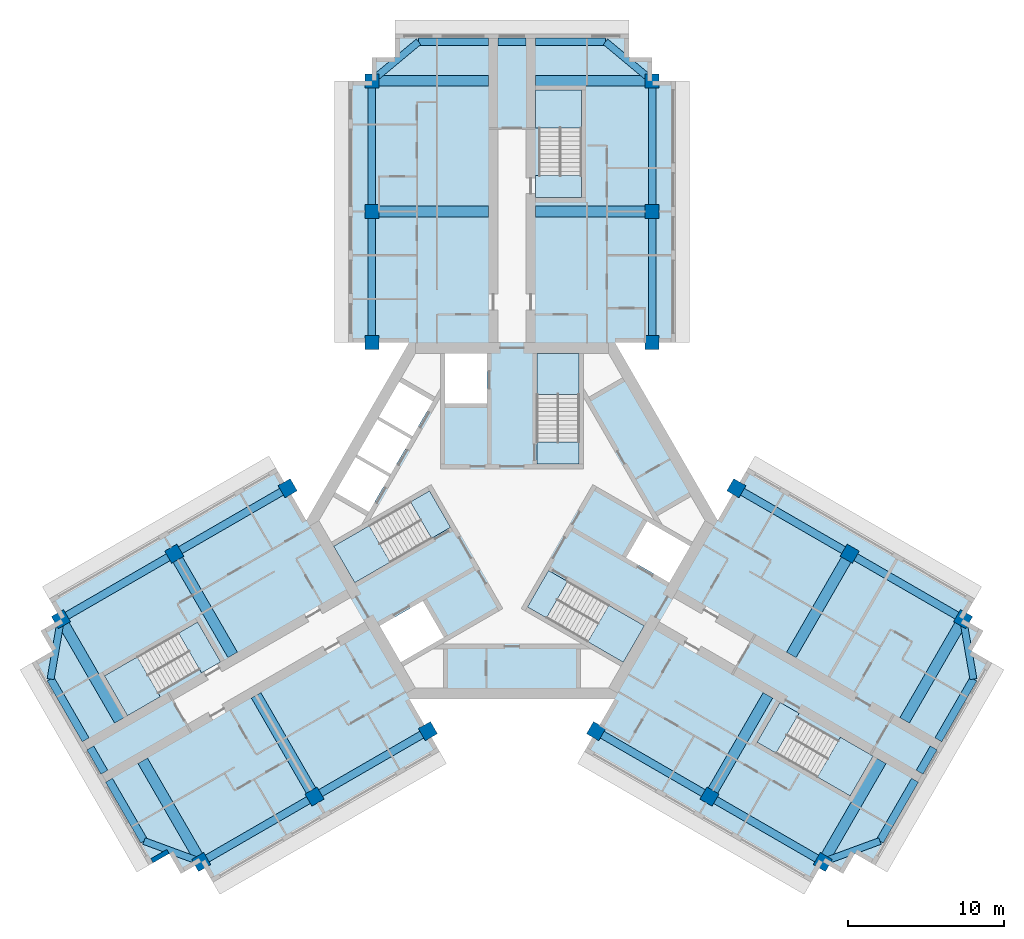
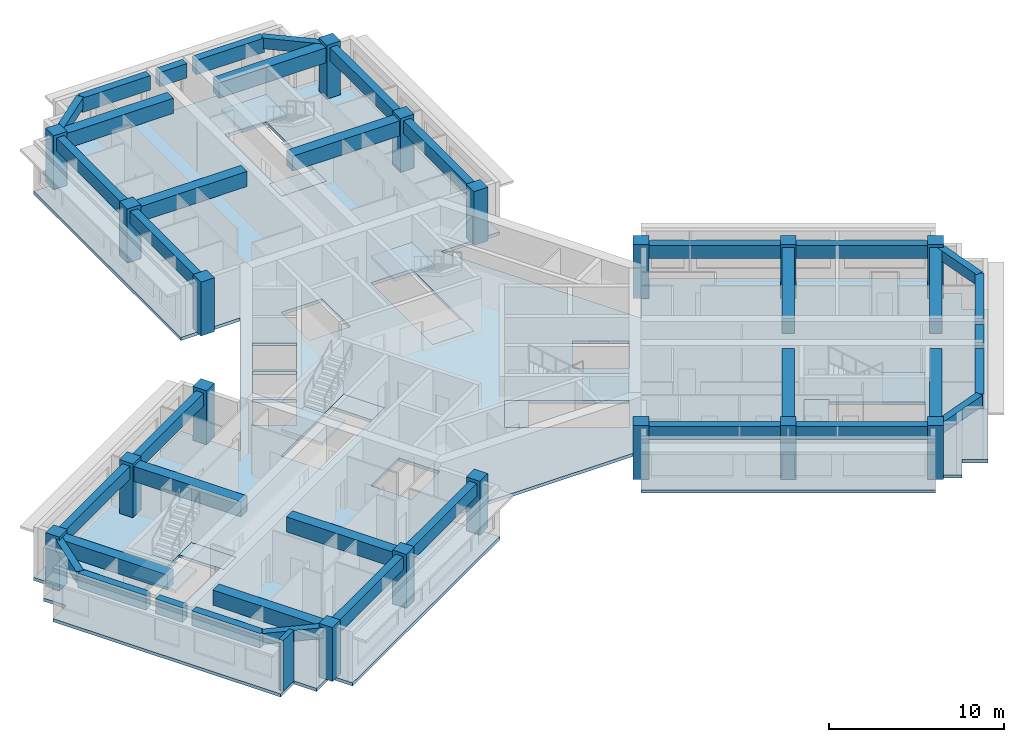
# One storey, part 1 of 10: 39 beams, 18 columns, 13 slabs, 1 wall, 6 elements without a shape of their own.
"""IFC4 building model written with IfcOpenShell, lengths in metres."""

import ifcopenshell
import ifcopenshell.guid

model = None  # the IFC model being written
_history = None  # IfcOwnerHistory: only IFC2X3 demands one
_inside = {}  # id of a spatial element -> (the spatial element, [elements in it])
_under = {}  # id of a project, library or spatial element -> (it, [spatial elements below it])
_declared = {}  # id of a project -> (the project, [libraries it declares])
_typed = {}  # id of a type object -> (the type object, [elements of that type])
_made_of = {}  # id of a material, layer set ... -> (it, [elements and type objects made of it])


def new_model(schema):
    """Start an empty IFC model of exactly this schema.

    Asked for "IFC4X3", IfcOpenShell would pick the latest addendum, in which some entities
    have other attributes; the version numbers below select the first issue.
    IFC2X3 requires an IfcOwnerHistory on every rooted entity: one is made here for all.
    """
    global model, _history
    if schema == "IFC4X3":
        model = ifcopenshell.file(schema_version=(4, 3, 0, 0))
    else:
        model = ifcopenshell.file(schema=schema)
    _inside.clear()
    _under.clear()
    _declared.clear()
    _typed.clear()
    _made_of.clear()
    _history = None
    if model.schema == "IFC2X3":
        org = make("IfcOrganization", Name="unknown")
        user = make(
            "IfcPersonAndOrganization",
            ThePerson=make("IfcPerson", FamilyName="unknown"),
            TheOrganization=org,
        )
        app = make(
            "IfcApplication",
            ApplicationDeveloper=org,
            Version="unknown",
            ApplicationFullName="unknown",
            ApplicationIdentifier="unknown",
        )
        _history = make(
            "IfcOwnerHistory",
            OwningUser=user,
            OwningApplication=app,
            ChangeAction="ADDED",
            CreationDate=0,
        )
    return model


def make(cls, **values):
    """One entity of the class cls with the attributes given. An attribute that is None is left unset."""
    return model.create_entity(
        cls, **{name: value for name, value in values.items() if value is not None}
    )


def rooted(cls, **values):
    """An entity with a GlobalId (a new one), such as an element, a storey or a relation."""
    return make(cls, GlobalId=ifcopenshell.guid.new(), OwnerHistory=_history, **values)


def si_unit(unit_type, name, prefix=None):
    """IfcSIUnit, for example si_unit("LENGTHUNIT", "METRE", prefix="MILLI")."""
    return make("IfcSIUnit", UnitType=unit_type, Prefix=prefix, Name=name)


def assignment(units):
    """IfcUnitAssignment: the units of a project."""
    return None if units is None else make("IfcUnitAssignment", Units=units)


def point(xyz):
    """IfcCartesianPoint."""
    return None if xyz is None else make("IfcCartesianPoint", Coordinates=xyz)


def direction(xyz):
    """IfcDirection."""
    return None if xyz is None else make("IfcDirection", DirectionRatios=xyz)


def frame(location, z_axis=None, x_axis=None):
    """IfcAxis2Placement3D, a coordinate frame: its origin and axes. An axis left out is left unset."""
    return make(
        "IfcAxis2Placement3D",
        Location=point(location),
        Axis=direction(z_axis),
        RefDirection=direction(x_axis),
    )


def frame_2d(location, x_axis=None):
    """IfcAxis2Placement2D, a coordinate frame in the plane: its origin and x axis."""
    return make(
        "IfcAxis2Placement2D", Location=point(location), RefDirection=direction(x_axis)
    )


def origin():
    """The frame at (0, 0, 0) with its axes left unset."""
    return frame((0.0, 0.0, 0.0))


def origin_2d():
    """The frame at (0, 0) in the plane with its x axis left unset."""
    return frame_2d((0.0, 0.0))


def place(relative_to, where):
    """IfcLocalPlacement: puts the frame where relative to a parent placement (None: the world)."""
    return make(
        "IfcLocalPlacement", PlacementRelTo=relative_to, RelativePlacement=where
    )


def context(
    kind, dimensions, precision=None, world=None, true_north=None, identifier=None
):
    """IfcGeometricRepresentationContext, for example the 3D "Model" context."""
    return make(
        "IfcGeometricRepresentationContext",
        ContextIdentifier=identifier,
        ContextType=kind,
        CoordinateSpaceDimension=dimensions,
        Precision=precision,
        WorldCoordinateSystem=world,
        TrueNorth=true_north,
    )


def subcontext(parent, identifier, kind, view, scale=None):
    """IfcGeometricRepresentationSubContext, for example "Body" below "Model"."""
    return make(
        "IfcGeometricRepresentationSubContext",
        ContextIdentifier=identifier,
        ContextType=kind,
        ParentContext=parent,
        TargetScale=scale,
        TargetView=view,
    )


def project(units=None, contexts=None):
    """IfcProject with its units and contexts."""
    return rooted(
        "IfcProject",
        Name="project",
        RepresentationContexts=contexts,
        UnitsInContext=assignment(units),
    )


def spatial(cls, under=None, at=None, **own):
    """A site, building, storey or space (cls), placed at a placement, below another one or the project."""
    s = rooted(cls, ObjectPlacement=at, **own)
    if under is not None:
        _under.setdefault(under.id(), (under, []))[1].append(s)
    return s


def polyline(points):
    """IfcPolyline through the points."""
    return make("IfcPolyline", Points=[point(p) for p in points])


def profile(cls, at=None, kind="AREA", **sizes):
    """A parametric profile (cls). Its sizes go by their IFC names, for example OverallWidth=200.0."""
    return make(cls, ProfileType=kind, Position=at, **sizes)


def rectangle(**sizes):
    """IfcRectangleProfileDef."""
    return profile("IfcRectangleProfileDef", **sizes)


def outline(outer, holes=None, kind="AREA"):
    """IfcArbitraryClosedProfileDef: a profile drawn as a closed curve; with holes, ...WithVoids."""
    if holes is None:
        return make("IfcArbitraryClosedProfileDef", ProfileType=kind, OuterCurve=outer)
    return make(
        "IfcArbitraryProfileDefWithVoids",
        ProfileType=kind,
        OuterCurve=outer,
        InnerCurves=holes,
    )


def extrude(swept, where, along, depth):
    """IfcExtrudedAreaSolid: the profile swept, set in the frame where, extruded along a direction by depth."""
    return make(
        "IfcExtrudedAreaSolid",
        SweptArea=swept,
        Position=where,
        ExtrudedDirection=direction(along),
        Depth=depth,
    )


def shape(context_of_items, identifier, shape_type, items):
    """IfcShapeRepresentation: the items that make up one representation, for example the "Body"."""
    return make(
        "IfcShapeRepresentation",
        ContextOfItems=context_of_items,
        RepresentationIdentifier=identifier,
        RepresentationType=shape_type,
        Items=items,
    )


def material(Name=None, Category=None):
    """IfcMaterial."""
    return make("IfcMaterial", Name=Name, Category=Category)


def layer(
    of_material, thickness, ventilated=None, Name=None, Category=None, Priority=None
):
    """IfcMaterialLayer: one layer of a wall or slab, of a material (None: an air gap)."""
    return make(
        "IfcMaterialLayer",
        Material=of_material,
        LayerThickness=thickness,
        IsVentilated=ventilated,
        Name=Name,
        Category=Category,
        Priority=Priority,
    )


def layer_set(layers, Name=None):
    """IfcMaterialLayerSet."""
    return make("IfcMaterialLayerSet", MaterialLayers=layers, LayerSetName=Name)


def material_profile(
    of_material, cross_section, Name=None, Category=None, Priority=None
):
    """IfcMaterialProfile: a cross section and its material."""
    return make(
        "IfcMaterialProfile",
        Name=Name,
        Material=of_material,
        Profile=cross_section,
        Priority=Priority,
        Category=Category,
    )


def profile_set(profiles, Name=None, composite=None):
    """IfcMaterialProfileSet."""
    return make(
        "IfcMaterialProfileSet",
        Name=Name,
        MaterialProfiles=profiles,
        CompositeProfile=composite,
    )


def made_of(thing, what):
    """Note that an element or type object is made of a material, layer set ...; save() writes the relation."""
    if what is not None:
        _made_of.setdefault(what.id(), (what, []))[1].append(thing)
    return thing


def type_object(cls, material=None, **own):
    """A type object (cls), such as IfcWallType, which elements share."""
    return made_of(rooted(cls, **own), material)


def element(
    cls,
    number,
    at=None,
    inside=None,
    cuts=None,
    type_object=None,
    material=None,
    context=None,
    identifier="Body",
    shape_type=None,
    held_by="IfcProductDefinitionShape",
    body=None,
    shapes=None,
    **own,
):
    """One element of the class cls, such as IfcWall. Its Tag is "e" and its number.

    at: its placement. inside: the storey or other place that contains it. cuts: it is an
    opening in that element (IfcRelVoidsElement). A single representation is given by context,
    identifier, shape_type and body (its items); several are given by shapes. held_by: the class
    of the entity that holds the representations. save() writes the other relations.
    """
    e = rooted(cls, Tag="e%d" % number, ObjectPlacement=at, **own)
    if body is not None:
        shapes = [shape(context, identifier, shape_type, body)]
    if shapes is not None:
        e.Representation = make(held_by, Representations=shapes)
    if inside is not None:
        _inside.setdefault(inside.id(), (inside, []))[1].append(e)
    if cuts is not None:
        rooted(
            "IfcRelVoidsElement", RelatingBuildingElement=cuts, RelatedOpeningElement=e
        )
    if type_object is not None:
        _typed.setdefault(type_object.id(), (type_object, []))[1].append(e)
    return made_of(e, material)


def aggregate(whole, parts):
    """IfcRelAggregates: a whole, such as a stair, and the parts it consists of."""
    return rooted("IfcRelAggregates", RelatingObject=whole, RelatedObjects=parts)


def save(model, path):
    """Write the relations noted so far, then the file.

    IfcRelAggregates (storeys below a building ...), IfcRelContainedInSpatialStructure (elements
    in a storey), IfcRelDefinesByType, IfcRelAssociatesMaterial and IfcRelDeclares: one each for
    every whole, place, type object, material and project.
    """
    for whole, parts in _under.values():
        aggregate(whole, parts)
    for where, things in _inside.values():
        rooted(
            "IfcRelContainedInSpatialStructure",
            RelatedElements=things,
            RelatingStructure=where,
        )
    for kind, things in _typed.values():
        rooted("IfcRelDefinesByType", RelatedObjects=things, RelatingType=kind)
    for what, things in _made_of.values():
        rooted("IfcRelAssociatesMaterial", RelatedObjects=things, RelatingMaterial=what)
    for by, libraries in _declared.values():
        rooted("IfcRelDeclares", RelatingContext=by, RelatedDefinitions=libraries)
    model.write(path)


model = new_model("IFC4")

# Units and contexts
model_context = context("Model", 3, precision=1e-05, world=origin(), true_north=direction((0.0, 1.0)))
body_context = subcontext(model_context, "Body", "Model", "MODEL_VIEW")
ifc_project = project(units=[si_unit("LENGTHUNIT", "METRE"), si_unit("AREAUNIT", "SQUARE_METRE"), si_unit("VOLUMEUNIT", "CUBIC_METRE"), si_unit("PLANEANGLEUNIT", "RADIAN"), si_unit("MASSUNIT", "GRAM", prefix="KILO")], contexts=[model_context])

# Site, building, storey
site_placement = place(None, origin())
site = spatial("IfcSite", under=ifc_project, at=site_placement, CompositionType="ELEMENT")
building_placement = place(site_placement, origin())
building = spatial("IfcBuilding", under=site, at=building_placement, Name="Impinga Residences", CompositionType="ELEMENT")
storey_placement = place(building_placement, frame((0.0, 0.0, 256.0)))
storey = spatial("IfcBuildingStorey", under=building, at=storey_placement, Name="L64", CompositionType="ELEMENT", Elevation=256.0)

# Columns
ifc_material_1 = material(Name="Concrete C60/75", Category="concrete")
ifc_material_profile_1 = material_profile(ifc_material_1, rectangle(XDim=0.89990234375, YDim=0.89990234375, at=origin_2d()), Name="RC 900x900")
ifc_profile_set_1 = profile_set([ifc_material_profile_1], Name="Concrete C60/75")
column_type = type_object("IfcColumnType", Name="C4 900x900 column", PredefinedType="COLUMN", material=ifc_profile_set_1)
for number, where, z_axis, x_axis, name in (
    (1, (-9.0, 11.431640625, 0.0), (0.0, 0.0, 1.0), (1.0, 0.0, 0.0), "Column C4 N1/NA L64"),
    (2, (9.0, 11.431640625, 0.0), (0.0, 0.0, 1.0), (1.0, 0.0, 0.0), "Column C4 N1/NF L64"),
    (3, (-9.0, 19.83154296875, 0.0), (0.0, 0.0, 1.0), (1.0, 0.0, 0.0), "Column C4 N2/NA L64"),
    (4, (9.0, 19.83154296875, 0.0), (0.0, 0.0, 1.0), (1.0, 0.0, 0.0), "Column C4 N2/NF L64"),
    (5, (-9.0, 28.2314453125, 0.0), (0.0, 0.0, 1.0), (1.0, 0.0, 0.0), "Column C4 N3/NA L64"),
    (6, (9.0, 28.2314453125, 0.0), (0.0, 0.0, 1.0), (1.0, 0.0, 0.0), "Column C4 N3/NF L64"),
    (7, (-5.39990234375, -13.510009765625, 0.0), (0.0, 0.0, 1.0), (-0.5, 0.866025403784, 0.0), "Column C4 W1/WA L64"),
    (8, (-14.39990234375, 2.078369140625, 0.0), (0.0, 0.0, 1.0), (-0.5, 0.866025403784, 0.0), "Column C4 W1/WF L64"),
    (9, (-12.674560546875, -17.7099609375, 0.0), (0.0, 0.0, 1.0), (-0.5, 0.866025403784, 0.0), "Column C4 W2/WA L64"),
    (10, (-21.674560546875, -2.12158203125, 0.0), (0.0, 0.0, 1.0), (-0.5, 0.866025403784, 0.0), "Column C4 W2/WF L64"),
    (11, (-19.94921875, -21.909912109375, 0.0), (0.0, 0.0, 1.0), (-0.5, 0.866025403784, 0.0), "Column C4 W3/WA L64"),
    (12, (-28.94921875, -6.321533203125, 0.0), (0.0, 0.0, 1.0), (-0.5, 0.866025403784, 0.0), "Column C4 W3/WF L64"),
    (13, (14.39990234375, 2.078369140625, 0.0), (0.0, 0.0, 1.0), (-0.5, -0.866025403784, 0.0), "Column C4 E1/EA L64"),
    (14, (5.39990234375, -13.510009765625, 0.0), (0.0, 0.0, 1.0), (-0.5, -0.866025403784, 0.0), "Column C4 E1/EF L64"),
    (15, (21.674560546875, -2.12158203125, 0.0), (0.0, 0.0, 1.0), (-0.5, -0.866025403784, 0.0), "Column C4 E2/EA L64"),
    (16, (12.674560546875, -17.7099609375, 0.0), (0.0, 0.0, 1.0), (-0.5, -0.866025403784, 0.0), "Column C4 E2/EF L64"),
    (17, (28.94921875, -6.321533203125, 0.0), (0.0, 0.0, 1.0), (-0.5, -0.866025403784, 0.0), "Column C4 E3/EA L64"),
    (18, (19.94921875, -21.909912109375, 0.0), (0.0, 0.0, 1.0), (-0.5, -0.866025403784, 0.0), "Column C4 E3/EF L64"),
):
    element("IfcColumn", number, at=place(storey_placement, frame(where, z_axis=z_axis, x_axis=x_axis)), inside=storey, type_object=column_type, Name=name, PredefinedType="COLUMN", context=body_context, shape_type="SweptSolid", body=[
        extrude(rectangle(XDim=0.89990234375, YDim=0.89990234375, at=origin_2d()), origin(), (0.0, 0.0, 1.0), 3.75),
    ])

# Beams
ifc_material_profile_2 = material_profile(ifc_material_1, rectangle(XDim=0.449951171875, YDim=0.75, at=origin_2d()), Name="RC 450x750")
ifc_profile_set_2 = profile_set([ifc_material_profile_2], Name="Concrete C60/75")
beam_type_1 = type_object("IfcBeamType", Name="CB1 450x750 wing end cantilever beam", PredefinedType="BEAM", material=ifc_profile_set_2)
for number, where, z_axis, x_axis, name in (
    (19, (-9.0, 28.2314453125, 3.155029296875), (0.768221279597, 0.640184399664, 0.0), (-0.640184399664, 0.768221279597, 0.0), "Beam CB1 NB N3-NX level L65"),
    (20, (9.0, 28.2314453125, 3.155029296875), (-0.768221279597, 0.640184399664, 0.0), (-0.640184399664, -0.768221279597, 0.0), "Beam CB1 NE N3-NX level L65"),
    (21, (-19.94921875, -21.909912109375, 3.155029296875), (-0.93854043338, 0.345169313396, 0.0), (-0.345169313396, -0.93854043338, 0.0), "Beam CB1 WB W3-WX level L65"),
):
    element("IfcBeam", number, at=place(storey_placement, frame(where, z_axis=z_axis, x_axis=x_axis)), inside=storey, type_object=beam_type_1, Name=name, PredefinedType="BEAM", context=body_context, shape_type="SweptSolid", body=[
        extrude(rectangle(XDim=0.449951171875, YDim=0.75, at=origin_2d()), origin(), (0.0, 0.0, 1.0), 3.905029296875),
    ])
for number, where, z_axis, x_axis, name in (
    (22, (-28.94921875, -6.321533203125, 3.155029296875), (-0.170296298948, -0.985392901621, 0.0), (0.985392901621, -0.170296298948, 0.0), "Beam CB1 WE W3-WX level L65"),
    (23, (28.94921875, -6.321533203125, 3.155029296875), (0.170296298948, -0.985392901621, 0.0), (0.985392901621, 0.170296298948, 0.0), "Beam CB1 EB E3-EX level L65"),
):
    element("IfcBeam", number, at=place(storey_placement, frame(where, z_axis=z_axis, x_axis=x_axis)), inside=storey, type_object=beam_type_1, Name=name, PredefinedType="BEAM", context=body_context, shape_type="SweptSolid", body=[
        extrude(rectangle(XDim=0.449951171875, YDim=0.75, at=origin_2d()), origin(), (0.0, 0.0, 1.0), 3.9052734375),
    ])
beam_1_placement = place(storey_placement, frame((19.94921875, -21.909912109375, 3.155029296875), z_axis=(0.93854043338, 0.345169313396, 0.0), x_axis=(-0.345169313396, 0.93854043338, 0.0)))
element("IfcBeam", 24, at=beam_1_placement, inside=storey, type_object=beam_type_1, Name="Beam CB1 EE E3-EX level L65", PredefinedType="BEAM", context=body_context, shape_type="SweptSolid", body=[
    extrude(rectangle(XDim=0.449951171875, YDim=0.75, at=origin_2d()), origin(), (0.0, 0.0, 1.0), 3.905029296875),
])
ifc_material_profile_3 = material_profile(ifc_material_1, rectangle(XDim=0.699951171875, YDim=1.050048828125, at=origin_2d()), Name="RC 700x1050")
ifc_profile_set_3 = profile_set([ifc_material_profile_3], Name="Concrete C60/75")
beam_type_2 = type_object("IfcBeamType", Name="CG1 700x1050 cross girder on a wing bay line", PredefinedType="BEAM", material=ifc_profile_set_3)
for number, where, z_axis, x_axis, name in (
    (25, (-1.5, 19.83154296875, 3.0048828125), (-1.0, 0.0, 0.0), (0.0, -1.0, 0.0), "Beam CG1 N2 NC/NA level L65"),
    (26, (-1.5, 28.2314453125, 3.0048828125), (-1.0, 0.0, 0.0), (0.0, -1.0, 0.0), "Beam CG1 N3 NC/NA level L65"),
    (27, (1.5, 19.83154296875, 3.0048828125), (1.0, 0.0, 0.0), (0.0, 1.0, 0.0), "Beam CG1 N2 NC/NF level L65"),
    (28, (1.5, 28.2314453125, 3.0048828125), (1.0, 0.0, 0.0), (0.0, 1.0, 0.0), "Beam CG1 N3 NC/NF level L65"),
    (29, (-16.424560546875, -11.21484375, 3.0048828125), (0.500004234368, -0.866022959057, 0.0), (0.866022959057, 0.500004234368, 0.0), "Beam CG1 W2 WC/WA level L65"),
    (30, (-23.69921875, -15.414794921875, 3.0048828125), (0.500004234368, -0.866022959057, 0.0), (0.866022959057, 0.500004234368, 0.0), "Beam CG1 W3 WC/WA level L65"),
    (31, (-17.924560546875, -8.61669921875, 3.0048828125), (-0.500004234368, 0.866022959057, 0.0), (-0.866022959057, -0.500004234368, 0.0), "Beam CG1 W2 WC/WF level L65"),
    (32, (-25.19921875, -12.816650390625, 3.0048828125), (-0.500004234368, 0.866022959057, 0.0), (-0.866022959057, -0.500004234368, 0.0), "Beam CG1 W3 WC/WF level L65"),
    (33, (17.924560546875, -8.61669921875, 3.0048828125), (0.500004234368, 0.866022959057, 0.0), (-0.866022959057, 0.500004234368, 0.0), "Beam CG1 E2 EC/EA level L65"),
    (34, (25.19921875, -12.816650390625, 3.0048828125), (0.500004234368, 0.866022959057, 0.0), (-0.866022959057, 0.500004234368, 0.0), "Beam CG1 E3 EC/EA level L65"),
    (35, (16.424560546875, -11.21484375, 3.0048828125), (-0.500004234368, -0.866022959057, 0.0), (0.866022959057, -0.500004234368, 0.0), "Beam CG1 E2 EC/EF level L65"),
    (36, (23.69921875, -15.414794921875, 3.0048828125), (-0.500004234368, -0.866022959057, 0.0), (0.866022959057, -0.500004234368, 0.0), "Beam CG1 E3 EC/EF level L65"),
):
    element("IfcBeam", number, at=place(storey_placement, frame(where, z_axis=z_axis, x_axis=x_axis)), inside=storey, type_object=beam_type_2, Name=name, PredefinedType="BEAM", context=body_context, shape_type="SweptSolid", body=[
        extrude(rectangle(XDim=0.699951171875, YDim=1.050048828125, at=origin_2d()), origin(), (0.0, 0.0, 1.0), 7.5),
    ])
ifc_material_profile_4 = material_profile(ifc_material_1, rectangle(XDim=0.5, YDim=1.0, at=origin_2d()), Name="RC 500x1000")
ifc_profile_set_4 = profile_set([ifc_material_profile_4], Name="Concrete C60/75")
beam_type_3 = type_object("IfcBeamType", Name="EB1 500x1000 wing end beam", PredefinedType="BEAM", material=ifc_profile_set_4)
beam_2_placement = place(storey_placement, frame((-6.0, 30.7314453125, 3.030029296875), z_axis=(1.0, 0.0, 0.0), x_axis=(0.0, 1.0, 0.0)))
element("IfcBeam", 37, at=beam_2_placement, inside=storey, type_object=beam_type_3, Name="Beam EB1 NX2 level L65", PredefinedType="BEAM", context=body_context, shape_type="SweptSolid", body=[
    extrude(rectangle(XDim=0.5, YDim=1.0, at=origin_2d()), origin(), (0.0, 0.0, 1.0), 4.5),
])
beam_3_placement = place(storey_placement, frame((-0.89990234375, 30.7314453125, 3.030029296875), z_axis=(1.0, 0.0, 0.0), x_axis=(0.0, 1.0, 0.0)))
element("IfcBeam", 38, at=beam_3_placement, inside=storey, type_object=beam_type_3, Name="Beam EB1 NX2 level L65", PredefinedType="BEAM", context=body_context, shape_type="SweptSolid", body=[
    extrude(rectangle(XDim=0.5, YDim=1.0, at=origin_2d()), origin(), (0.0, 0.0, 1.0), 1.7998046875),
])
for number, where, z_axis, x_axis, name in (
    (39, (1.5, 30.7314453125, 3.030029296875), (1.0, 0.0, 0.0), (0.0, 1.0, 0.0), "Beam EB1 NX2 level L65"),
    (40, (-23.6142578125, -20.56201171875, 3.030029296875), (-0.499990139034, 0.866031096941, 0.0), (-0.866031096941, -0.499990139034, 0.0), "Beam EB1 WX2 level L65"),
):
    element("IfcBeam", number, at=place(storey_placement, frame(where, z_axis=z_axis, x_axis=x_axis)), inside=storey, type_object=beam_type_3, Name=name, PredefinedType="BEAM", context=body_context, shape_type="SweptSolid", body=[
        extrude(rectangle(XDim=0.5, YDim=1.0, at=origin_2d()), origin(), (0.0, 0.0, 1.0), 4.5),
    ])
beam_4_placement = place(storey_placement, frame((-26.164306640625, -16.145263671875, 3.030029296875), z_axis=(-0.499961193289, 0.866047807691, 0.0), x_axis=(-0.866047807691, -0.499961193289, 0.0)))
element("IfcBeam", 41, at=beam_4_placement, inside=storey, type_object=beam_type_3, Name="Beam EB1 WX2 level L65", PredefinedType="BEAM", context=body_context, shape_type="SweptSolid", body=[
    extrude(rectangle(XDim=0.5, YDim=1.0, at=origin_2d()), origin(), (0.0, 0.0, 1.0), 1.800048828125),
])
for number, where, z_axis, x_axis, name in (
    (42, (-27.3642578125, -14.066650390625, 3.030029296875), (-0.500013631625, 0.866017533419, 0.0), (-0.866017533419, -0.500013631625, 0.0), "Beam EB1 WX2 level L65"),
    (43, (29.6142578125, -10.169677734375, 3.030029296875), (-0.500013631625, -0.866017533419, 0.0), (0.866017533419, -0.500013631625, 0.0), "Beam EB1 EX2 level L65"),
):
    element("IfcBeam", number, at=place(storey_placement, frame(where, z_axis=z_axis, x_axis=x_axis)), inside=storey, type_object=beam_type_3, Name=name, PredefinedType="BEAM", context=body_context, shape_type="SweptSolid", body=[
        extrude(rectangle(XDim=0.5, YDim=1.0, at=origin_2d()), origin(), (0.0, 0.0, 1.0), 4.499755859375),
    ])
beam_5_placement = place(storey_placement, frame((27.064208984375, -14.58642578125, 3.030029296875), z_axis=(-0.499961193289, -0.866047807691, 0.0), x_axis=(0.866047807691, -0.499961193289, 0.0)))
element("IfcBeam", 44, at=beam_5_placement, inside=storey, type_object=beam_type_3, Name="Beam EB1 EX2 level L65", PredefinedType="BEAM", context=body_context, shape_type="SweptSolid", body=[
    extrude(rectangle(XDim=0.5, YDim=1.0, at=origin_2d()), origin(), (0.0, 0.0, 1.0), 1.800048828125),
])
beam_6_placement = place(storey_placement, frame((25.8642578125, -16.664794921875, 3.030029296875), z_axis=(-0.499990139034, -0.866031096941, 0.0), x_axis=(0.866031096941, -0.499990139034, 0.0)))
element("IfcBeam", 45, at=beam_6_placement, inside=storey, type_object=beam_type_3, Name="Beam EB1 EX2 level L65", PredefinedType="BEAM", context=body_context, shape_type="SweptSolid", body=[
    extrude(rectangle(XDim=0.5, YDim=1.0, at=origin_2d()), origin(), (0.0, 0.0, 1.0), 4.5),
])
ifc_material_profile_5 = material_profile(ifc_material_1, rectangle(XDim=0.5, YDim=0.89990234375, at=origin_2d()), Name="RC 500x900")
ifc_profile_set_5 = profile_set([ifc_material_profile_5], Name="Concrete C60/75")
beam_type_4 = type_object("IfcBeamType", Name="SB1 500x900 perimeter spandrel beam", PredefinedType="SPANDREL", material=ifc_profile_set_5)
for number, where, z_axis, x_axis, name in (
    (46, (-9.0, 11.431640625, 3.080078125), (0.0, 1.0, 0.0), (-1.0, 0.0, 0.0), "Beam SB1 NA N1-N2 level L65"),
    (47, (-9.0, 19.83154296875, 3.080078125), (0.0, 1.0, 0.0), (-1.0, 0.0, 0.0), "Beam SB1 NA N2-N3 level L65"),
    (48, (9.0, 11.431640625, 3.080078125), (0.0, 1.0, 0.0), (-1.0, 0.0, 0.0), "Beam SB1 NF N1-N2 level L65"),
    (49, (9.0, 19.83154296875, 3.080078125), (0.0, 1.0, 0.0), (-1.0, 0.0, 0.0), "Beam SB1 NF N2-N3 level L65"),
    (50, (-5.39990234375, -13.510009765625, 3.080078125), (-0.86602925447, -0.499993330357, 0.0), (0.499993330357, -0.86602925447, 0.0), "Beam SB1 WA W1-W2 level L65"),
    (51, (-12.674560546875, -17.7099609375, 3.080078125), (-0.86602925447, -0.499993330357, 0.0), (0.499993330357, -0.86602925447, 0.0), "Beam SB1 WA W2-W3 level L65"),
    (52, (-14.39990234375, 2.078369140625, 3.080078125), (-0.86602925447, -0.499993330357, 0.0), (0.499993330357, -0.86602925447, 0.0), "Beam SB1 WF W1-W2 level L65"),
    (53, (-21.674560546875, -2.12158203125, 3.080078125), (-0.86602925447, -0.499993330357, 0.0), (0.499993330357, -0.86602925447, 0.0), "Beam SB1 WF W2-W3 level L65"),
    (54, (14.39990234375, 2.078369140625, 3.080078125), (0.86602925447, -0.499993330357, 0.0), (0.499993330357, 0.86602925447, 0.0), "Beam SB1 EA E1-E2 level L65"),
    (55, (21.674560546875, -2.12158203125, 3.080078125), (0.86602925447, -0.499993330357, 0.0), (0.499993330357, 0.86602925447, 0.0), "Beam SB1 EA E2-E3 level L65"),
    (56, (5.39990234375, -13.510009765625, 3.080078125), (0.86602925447, -0.499993330357, 0.0), (0.499993330357, 0.86602925447, 0.0), "Beam SB1 EF E1-E2 level L65"),
    (57, (12.674560546875, -17.7099609375, 3.080078125), (0.86602925447, -0.499993330357, 0.0), (0.499993330357, 0.86602925447, 0.0), "Beam SB1 EF E2-E3 level L65"),
):
    element("IfcBeam", number, at=place(storey_placement, frame(where, z_axis=z_axis, x_axis=x_axis)), inside=storey, type_object=beam_type_4, Name=name, PredefinedType="SPANDREL", context=body_context, shape_type="SweptSolid", body=[
        extrude(rectangle(XDim=0.5, YDim=0.89990234375, at=origin_2d()), origin(), (0.0, 0.0, 1.0), 8.39990234375),
    ])

# Slab
ifc_layer_1 = layer(ifc_material_1, 0.219970703125)
ifc_layer_set_1 = layer_set([ifc_layer_1], Name="Concrete C60/75")
slab_type_1 = type_object("IfcSlabType", Name="FS1 tower floor slab 220", PredefinedType="FLOOR", material=ifc_layer_set_1)
slab_1_placement = place(storey_placement, frame((0.0, 0.0, -0.219970703125)))
element("IfcSlab", 58, at=slab_1_placement, inside=storey, type_object=slab_type_1, Name="Floor slab FS1 L64", PredefinedType="FLOOR", context=body_context, shape_type="SweptSolid", body=[
    extrude(outline(polyline([(-19.94921875, -21.909912109375), (-21.248291015625, -22.659912109375), (-21.998291015625, -21.36083984375), (-23.29736328125, -22.11083984375), (-30.79736328125, -9.12060546875), (-29.498291015625, -8.37060546875), (-30.248291015625, -7.071533203125), (-28.94921875, -6.321533203125), (-29.69921875, -5.0224609375), (-15.14990234375, 3.37744140625), (-13.199951171875, 0.0), (-6.60009765625, 11.431640625), (-10.5, 11.431640625), (-10.5, 28.2314453125), (-9.0, 28.2314453125), (-9.0, 29.7314453125), (-7.5, 29.7314453125), (-7.5, 31.2314453125), (7.5, 31.2314453125), (7.5, 29.7314453125), (9.0, 29.7314453125), (9.0, 28.2314453125), (10.5, 28.2314453125), (10.5, 11.431640625), (6.60009765625, 11.431640625), (13.199951171875, 0.0), (15.14990234375, 3.37744140625), (29.69921875, -5.0224609375), (28.94921875, -6.321533203125), (30.248291015625, -7.071533203125), (29.498291015625, -8.37060546875), (30.79736328125, -9.12060546875), (23.29736328125, -22.11083984375), (21.998291015625, -21.36083984375), (21.248291015625, -22.659912109375), (19.94921875, -21.909912109375), (19.19921875, -23.208984375), (4.64990234375, -14.80908203125), (9.900146484375, -5.7158203125), (6.60009765625, -11.431640625), (-6.60009765625, -11.431640625), (-9.900146484375, -5.7158203125), (-4.64990234375, -14.80908203125), (-19.19921875, -23.208984375), (-19.94921875, -21.909912109375)]), holes=[polyline([(-18.7041015625, -9.066650390625), (-18.8291015625, -8.850341796875), (-18.8291015625, -8.850341796875), (-20.178955078125, -6.511962890625), (-21.391357421875, -7.2119140625), (-21.391357421875, -7.2119140625), (-26.154541015625, -9.9619140625), (-24.8046875, -12.30029296875), (-20.04150390625, -9.55029296875), (-19.91650390625, -9.766845703125), (-18.7041015625, -9.066650390625)]), polyline([(-5.72119140625, -5.150634765625), (-8.493896484375, -6.75146484375), (-7.143798828125, -9.089599609375), (-4.37109375, -7.489013671875), (-5.72119140625, -5.150634765625)]), polyline([(-5.293701171875, 1.908935546875), (-11.44384765625, -1.641845703125), (-10.09375, -3.980224609375), (-3.943603515625, -0.429443359375), (-5.293701171875, 1.908935546875)]), polyline([(-7.878662109375, 2.816650390625), (-10.043701171875, 4.066650390625), (-11.34375, 1.81494140625), (-9.1787109375, 0.56494140625), (-7.878662109375, 2.816650390625)]), polyline([(-6.478759765625, 5.24169921875), (-8.643798828125, 6.49169921875), (-9.94384765625, 4.239990234375), (-7.77880859375, 2.989990234375), (-6.478759765625, 5.24169921875)]), polyline([(-6.378662109375, 5.414794921875), (-5.07861328125, 7.66650390625), (-7.243896484375, 8.91650390625), (-8.543701171875, 6.664794921875), (-6.378662109375, 5.414794921875)]), polyline([(-4.300048828125, 7.530029296875), (-1.60009765625, 7.530029296875), (-1.60009765625, 10.7314453125), (-4.300048828125, 10.7314453125), (-4.300048828125, 7.530029296875)]), polyline([(15.72900390625, -14.219482421875), (21.70458984375, -17.669677734375), (23.0546875, -15.331298828125), (18.29150390625, -12.581298828125), (18.41650390625, -12.36474609375), (17.2041015625, -11.664794921875), (15.72900390625, -14.219482421875)]), polyline([(0.99365234375, -5.538818359375), (7.143798828125, -9.089599609375), (8.493896484375, -6.75146484375), (2.34375, -3.20068359375), (0.99365234375, -5.538818359375)]), polyline([(7.3212890625, -2.37939453125), (10.09375, -3.980224609375), (11.44384765625, -1.641845703125), (8.671142578125, -0.041015625), (7.3212890625, -2.37939453125)]), polyline([(4.300048828125, 3.6298828125), (4.300048828125, 10.7314453125), (1.60009765625, 10.7314453125), (1.60009765625, 3.6298828125), (4.300048828125, 3.6298828125)]), polyline([(1.75, 22.131591796875), (1.5, 22.131591796875), (1.5, 20.7314453125), (1.75, 20.7314453125), (4.449951171875, 20.7314453125), (4.449951171875, 22.131591796875), (4.449951171875, 27.631591796875), (1.75, 27.631591796875), (1.75, 22.131591796875)])]), origin(), (0.0, 0.0, 1.0), 0.219970703125),
])

# Stair, slabs
ifc_material_2 = material(Name="Concrete C40/50", Category="concrete")
stair_type_1 = type_object("IfcStairType", Name="STR core stair 3750 storey, 24 risers", PredefinedType="HALF_TURN_STAIR", material=ifc_material_2)
stair_1_placement = place(storey_placement, origin())
stair_1 = element("IfcStair", 59, at=stair_1_placement, inside=storey, type_object=stair_type_1, Name="Stair ST1 L64", PredefinedType="HALF_TURN_STAIR")
ifc_layer_2 = layer(ifc_material_2, 0.199951171875)
ifc_layer_set_2 = layer_set([ifc_layer_2], Name="Concrete C40/50")
slab_type_2 = type_object("IfcSlabType", Name="LS1 stair landing 200", PredefinedType="LANDING", material=ifc_layer_set_2)
slab_2_placement = place(storey_placement, frame((0.0, 0.0, -0.199951171875)))
slab_2 = element("IfcSlab", 60, at=slab_2_placement, type_object=slab_type_2, Name="ST1 landing 1", PredefinedType="LANDING", context=body_context, shape_type="SweptSolid", body=[
    extrude(outline(polyline([(1.60009765625, 3.6298828125), (4.300048828125, 3.6298828125), (4.300048828125, 5.0400390625), (1.60009765625, 5.0400390625), (1.60009765625, 3.6298828125)])), origin(), (0.0, 0.0, 1.0), 0.199951171875),
])
slab_3_placement = place(storey_placement, frame((0.0, 0.0, 1.675048828125)))
slab_3 = element("IfcSlab", 61, at=slab_3_placement, type_object=slab_type_2, Name="ST1 landing 2", PredefinedType="LANDING", context=body_context, shape_type="SweptSolid", body=[
    extrude(outline(polyline([(1.60009765625, 8.10009765625), (4.300048828125, 8.10009765625), (4.300048828125, 10.7314453125), (1.60009765625, 10.7314453125), (1.60009765625, 8.10009765625)])), origin(), (0.0, 0.0, 1.0), 0.199951171875),
])
aggregate(stair_1, [slab_2, slab_3])

stair_2_placement = place(storey_placement, origin())
stair_2 = element("IfcStair", 62, at=stair_2_placement, inside=storey, type_object=stair_type_1, Name="Stair ST2 L64", PredefinedType="HALF_TURN_STAIR")
slab_4_placement = place(storey_placement, frame((0.0, 0.0, -0.199951171875)))
slab_4 = element("IfcSlab", 63, at=slab_4_placement, type_object=slab_type_2, Name="ST2 landing 1", PredefinedType="LANDING", context=body_context, shape_type="SweptSolid", body=[
    extrude(outline(polyline([(-3.943603515625, -0.429443359375), (-5.293701171875, 1.908935546875), (-6.5146484375, 1.203857421875), (-5.164794921875, -1.13427734375), (-3.943603515625, -0.429443359375)])), origin(), (0.0, 0.0, 1.0), 0.199951171875),
])
slab_5_placement = place(storey_placement, frame((0.0, 0.0, 1.675048828125)))
slab_5 = element("IfcSlab", 64, at=slab_5_placement, type_object=slab_type_2, Name="ST2 landing 2", PredefinedType="LANDING", context=body_context, shape_type="SweptSolid", body=[
    extrude(outline(polyline([(-7.814697265625, -2.664306640625), (-9.164794921875, -0.326171875), (-11.44384765625, -1.641845703125), (-10.09375, -3.980224609375), (-7.814697265625, -2.664306640625)])), origin(), (0.0, 0.0, 1.0), 0.199951171875),
])
aggregate(stair_2, [slab_4, slab_5])

stair_3_placement = place(storey_placement, origin())
stair_3 = element("IfcStair", 65, at=stair_3_placement, inside=storey, type_object=stair_type_1, Name="Stair ST3 L64", PredefinedType="HALF_TURN_STAIR")
slab_6_placement = place(storey_placement, frame((0.0, 0.0, -0.199951171875)))
slab_6 = element("IfcSlab", 66, at=slab_6_placement, type_object=slab_type_2, Name="ST3 landing 1", PredefinedType="LANDING", context=body_context, shape_type="SweptSolid", body=[
    extrude(outline(polyline([(2.34375, -3.20068359375), (0.99365234375, -5.538818359375), (2.21484375, -6.243896484375), (3.564697265625, -3.90576171875), (2.34375, -3.20068359375)])), origin(), (0.0, 0.0, 1.0), 0.199951171875),
])
slab_7_placement = place(storey_placement, frame((0.0, 0.0, 1.675048828125)))
slab_7 = element("IfcSlab", 67, at=slab_7_placement, type_object=slab_type_2, Name="ST3 landing 2", PredefinedType="LANDING", context=body_context, shape_type="SweptSolid", body=[
    extrude(outline(polyline([(6.21484375, -5.435546875), (4.86474609375, -7.77392578125), (7.143798828125, -9.089599609375), (8.493896484375, -6.75146484375), (6.21484375, -5.435546875)])), origin(), (0.0, 0.0, 1.0), 0.199951171875),
])
aggregate(stair_3, [slab_6, slab_7])

stair_type_2 = type_object("IfcStairType", Name="STR wing stair 3750 storey, 24 risers", PredefinedType="HALF_TURN_STAIR", material=ifc_material_2)
stair_4_placement = place(storey_placement, origin())
stair_4 = element("IfcStair", 68, at=stair_4_placement, inside=storey, type_object=stair_type_2, Name="Stair WS1 L64", PredefinedType="HALF_TURN_STAIR")
slab_8_placement = place(storey_placement, frame((0.0, 0.0, -0.199951171875)))
slab_8 = element("IfcSlab", 69, at=slab_8_placement, type_object=slab_type_2, Name="WS1 landing 1", PredefinedType="LANDING", context=body_context, shape_type="SweptSolid", body=[
    extrude(outline(polyline([(1.5, 20.7314453125), (4.449951171875, 20.7314453125), (4.449951171875, 22.1416015625), (1.5, 22.1416015625), (1.5, 20.7314453125)])), origin(), (0.0, 0.0, 1.0), 0.199951171875),
])
slab_9_placement = place(storey_placement, frame((0.0, 0.0, 1.675048828125)))
slab_9 = element("IfcSlab", 70, at=slab_9_placement, type_object=slab_type_2, Name="WS1 landing 2", PredefinedType="LANDING", context=body_context, shape_type="SweptSolid", body=[
    extrude(outline(polyline([(1.5, 25.201416015625), (4.449951171875, 25.201416015625), (4.449951171875, 27.631591796875), (1.5, 27.631591796875), (1.5, 25.201416015625)])), origin(), (0.0, 0.0, 1.0), 0.199951171875),
])
aggregate(stair_4, [slab_8, slab_9])

stair_5_placement = place(storey_placement, origin())
stair_5 = element("IfcStair", 71, at=stair_5_placement, inside=storey, type_object=stair_type_2, Name="Stair WS2 L64", PredefinedType="HALF_TURN_STAIR")
slab_10_placement = place(storey_placement, frame((0.0, 0.0, -0.199951171875)))
slab_10 = element("IfcSlab", 72, at=slab_10_placement, type_object=slab_type_2, Name="WS2 landing 1", PredefinedType="LANDING", context=body_context, shape_type="SweptSolid", body=[
    extrude(outline(polyline([(-18.7041015625, -9.066650390625), (-20.178955078125, -6.511962890625), (-21.400146484375, -7.217041015625), (-19.925048828125, -9.771728515625), (-18.7041015625, -9.066650390625)])), origin(), (0.0, 0.0, 1.0), 0.199951171875),
])
slab_11_placement = place(storey_placement, frame((0.0, 0.0, 1.675048828125)))
slab_11 = element("IfcSlab", 73, at=slab_11_placement, type_object=slab_type_2, Name="WS2 landing 2", PredefinedType="LANDING", context=body_context, shape_type="SweptSolid", body=[
    extrude(outline(polyline([(-22.5751953125, -11.3017578125), (-24.050048828125, -8.7470703125), (-26.154541015625, -9.9619140625), (-24.6796875, -12.516845703125), (-22.5751953125, -11.3017578125)])), origin(), (0.0, 0.0, 1.0), 0.199951171875),
])
aggregate(stair_5, [slab_10, slab_11])

stair_6_placement = place(storey_placement, origin())
stair_6 = element("IfcStair", 74, at=stair_6_placement, inside=storey, type_object=stair_type_2, Name="Stair WS3 L64", PredefinedType="HALF_TURN_STAIR")
slab_12_placement = place(storey_placement, frame((0.0, 0.0, -0.199951171875)))
slab_12 = element("IfcSlab", 75, at=slab_12_placement, type_object=slab_type_2, Name="WS3 landing 1", PredefinedType="LANDING", context=body_context, shape_type="SweptSolid", body=[
    extrude(outline(polyline([(17.2041015625, -11.664794921875), (15.72900390625, -14.219482421875), (16.9501953125, -14.924560546875), (18.425048828125, -12.369873046875), (17.2041015625, -11.664794921875)])), origin(), (0.0, 0.0, 1.0), 0.199951171875),
])
slab_13_placement = place(storey_placement, frame((0.0, 0.0, 1.675048828125)))
slab_13 = element("IfcSlab", 76, at=slab_13_placement, type_object=slab_type_2, Name="WS3 landing 2", PredefinedType="LANDING", context=body_context, shape_type="SweptSolid", body=[
    extrude(outline(polyline([(21.0751953125, -13.89990234375), (19.60009765625, -16.45458984375), (21.70458984375, -17.669677734375), (23.1796875, -15.11474609375), (21.0751953125, -13.89990234375)])), origin(), (0.0, 0.0, 1.0), 0.199951171875),
])
aggregate(stair_6, [slab_12, slab_13])

# Wall
ifc_material_3 = material(Name="Terracotta rainscreen on blockwork", Category="masonry")
ifc_layer_3 = layer(ifc_material_3, 0.300048828125)
ifc_layer_set_3 = layer_set([ifc_layer_3], Name="EW1 external wall, terracotta rainscreen on blockwork 300")
wall_type = type_object("IfcWallType", Name="EW1 external wall, terracotta rainscreen on blockwork 300", PredefinedType="SOLIDWALL", material=ifc_layer_set_3)
wall_placement = place(storey_placement, frame((-22.07763671875, -21.233642578125, 0.0), z_axis=(0.0, 0.0, 1.0), x_axis=(-0.866059708757, -0.499940577336, 0.0)))
element("IfcWall", 77, at=wall_placement, inside=storey, type_object=wall_type, Name="External wall EW1 L64", PredefinedType="SOLIDWALL", context=body_context, shape_type="SweptSolid", body=[
    extrude(rectangle(XDim=1.195068359375, YDim=0.300048828125, at=frame_2d((0.59765625, 0.0))), origin(), (0.0, 0.0, 1.0), 3.530029296875),
])

save(model, "model.ifc")
